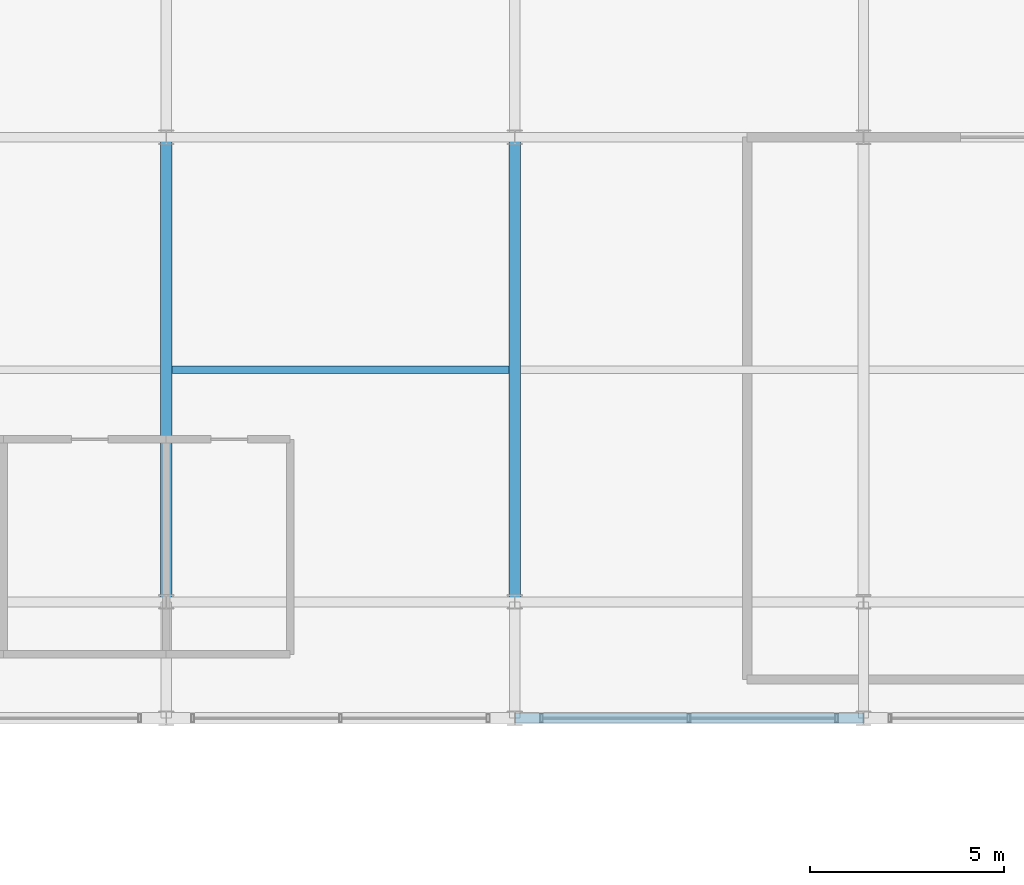
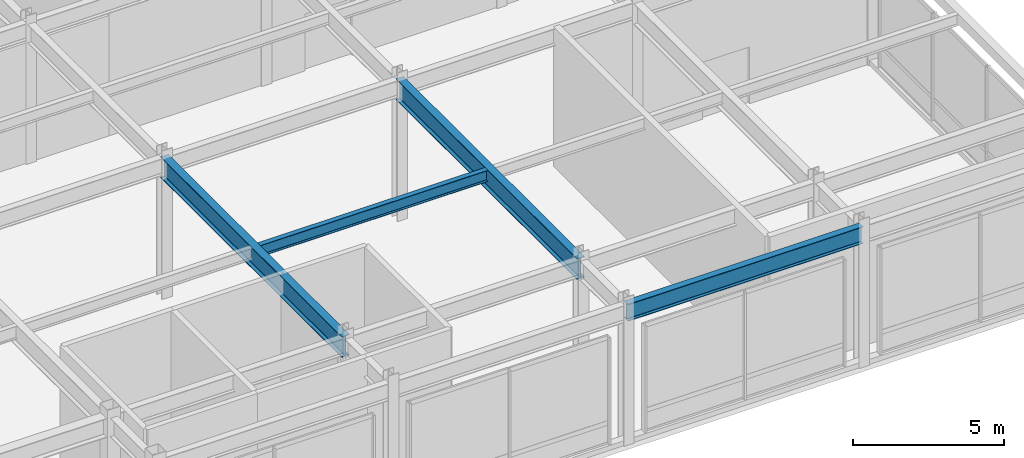
# One storey, part 71 of 108: 4 beams.
"""IFC4 building model written with IfcOpenShell, lengths in metres."""

from ifc_helpers import new_model, si_unit, direction, frame, origin, origin_2d, place, context, subcontext, project, spatial, i_section, extrude, material, material_profile, profile_set, type_object, element, save


model = new_model("IFC4")

# Units and contexts
model_context = context("Model", 3, precision=1e-05, world=origin(), true_north=direction((0.0, 1.0)))
body_context = subcontext(model_context, "Body", "Model", "MODEL_VIEW")
ifc_project = project(units=[si_unit("LENGTHUNIT", "METRE"), si_unit("AREAUNIT", "SQUARE_METRE"), si_unit("VOLUMEUNIT", "CUBIC_METRE"), si_unit("PLANEANGLEUNIT", "RADIAN"), si_unit("MASSUNIT", "GRAM", prefix="KILO")], contexts=[model_context])

# Site, building, storey
site_placement = place(None, origin())
site = spatial("IfcSite", under=ifc_project, at=site_placement, CompositionType="ELEMENT")
building_placement = place(site_placement, origin())
building = spatial("IfcBuilding", under=site, at=building_placement, Name="Kaldorvane Square Convention Centre", CompositionType="ELEMENT")
storey_placement = place(building_placement, frame((0.0, 0.0, 12.0)))
storey = spatial("IfcBuildingStorey", under=building, at=storey_placement, Name="L02", CompositionType="ELEMENT", Elevation=12.0)

# Beams
ifc_material = material(Name="Steel ASTM A992 Gr. 50", Category="steel")
ifc_material_profile_1 = material_profile(ifc_material, i_section(OverallWidth=0.25439453125, OverallDepth=0.6880950927734375, WebThickness=0.0131072998046875, FlangeThickness=0.0211029052734375, FilletRadius=0.01519775390625, at=origin_2d()), Name="W27X102")
ifc_profile_set_1 = profile_set([ifc_material_profile_1], Name="Steel ASTM A992 Gr. 50")
beam_type_1 = type_object("IfcBeamType", Name="BM-GR-W27X102", PredefinedType="BEAM", material=ifc_profile_set_1)
beam_1_placement = place(storey_placement, frame((156.0, 81.0, 5.3018951416015625), z_axis=(1.0, 0.0, 0.0), x_axis=(0.0, 1.0, 0.0)))
element("IfcBeam", 1, at=beam_1_placement, inside=storey, type_object=beam_type_1, Name="Primary Girder (L02)", PredefinedType="BEAM", context=body_context, shape_type="SweptSolid", body=[
    extrude(i_section(OverallWidth=0.25439453125, OverallDepth=0.6880950927734375, WebThickness=0.0131072998046875, FlangeThickness=0.0211029052734375, FilletRadius=0.01519775390625, at=origin_2d()), origin(), (0.0, 0.0, 1.0), 9.0),
])
ifc_material_profile_2 = material_profile(ifc_material, i_section(OverallWidth=0.292999267578125, OverallDepth=0.845794677734375, WebThickness=0.0153961181640625, FlangeThickness=0.0243988037109375, FilletRadius=0.0178070068359375, at=origin_2d()), Name="W33X141")
ifc_profile_set_2 = profile_set([ifc_material_profile_2], Name="Steel ASTM A992 Gr. 50")
beam_type_2 = type_object("IfcBeamType", Name="BM-GR-W33X141", PredefinedType="BEAM", material=ifc_profile_set_2)
for number, where, z_axis, x_axis, name in (
    (2, (147.0, 84.0, 5.2230987548828125), (0.0, 1.0, 0.0), (-1.0, 0.0, 0.0), "Transverse Girder (L02)"),
    (3, (156.0, 84.0, 5.2230987548828125), (0.0, 1.0, 0.0), (-1.0, 0.0, 0.0), "Transverse Girder (L02)"),
):
    element("IfcBeam", number, at=place(storey_placement, frame(where, z_axis=z_axis, x_axis=x_axis)), inside=storey, type_object=beam_type_2, Name=name, PredefinedType="BEAM", context=body_context, shape_type="SweptSolid", body=[
        extrude(i_section(OverallWidth=0.292999267578125, OverallDepth=0.845794677734375, WebThickness=0.0153961181640625, FlangeThickness=0.0243988037109375, FilletRadius=0.0178070068359375, at=origin_2d()), origin(), (0.0, 0.0, 1.0), 12.0),
    ])
ifc_material_profile_3 = material_profile(ifc_material, i_section(OverallWidth=0.1912994384765625, OverallDepth=0.4600067138671875, WebThickness=0.0099029541015625, FlangeThickness=0.0160064697265625, FilletRadius=0.01019287109375, at=origin_2d()), Name="W18X55")
ifc_profile_set_3 = profile_set([ifc_material_profile_3], Name="Steel ASTM A992 Gr. 50")
beam_type_3 = type_object("IfcBeamType", Name="BM-JS-W18X55", PredefinedType="JOIST", material=ifc_profile_set_3)
beam_2_placement = place(storey_placement, frame((147.14649963378906, 90.0, 5.4160003662109375), z_axis=(1.0, 0.0, 0.0), x_axis=(0.0, 1.0, 0.0)))
element("IfcBeam", 4, at=beam_2_placement, inside=storey, type_object=beam_type_3, Name="Secondary Floor Joist (L02)", PredefinedType="JOIST", context=body_context, shape_type="SweptSolid", body=[
    extrude(i_section(OverallWidth=0.1912994384765625, OverallDepth=0.4600067138671875, WebThickness=0.0099029541015625, FlangeThickness=0.0160064697265625, FilletRadius=0.01019287109375, at=origin_2d()), origin(), (0.0, 0.0, 1.0), 8.707000732421875),
])

save(model, "model.ifc")
